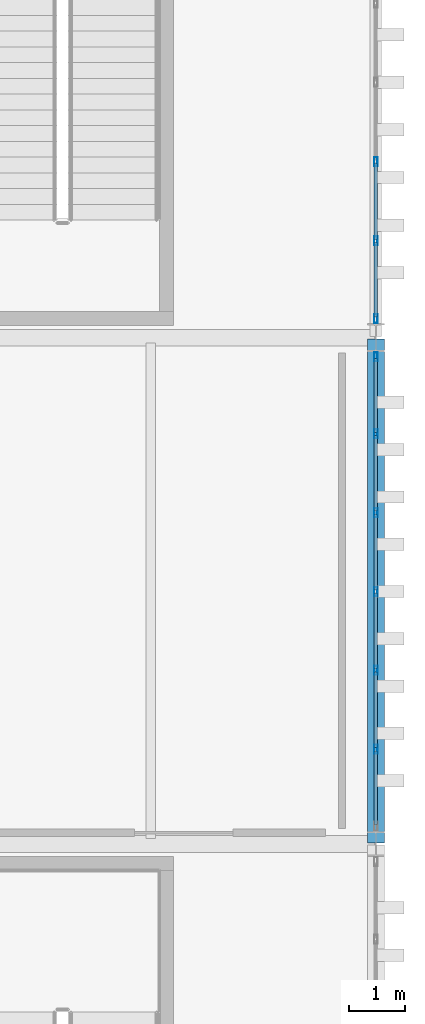
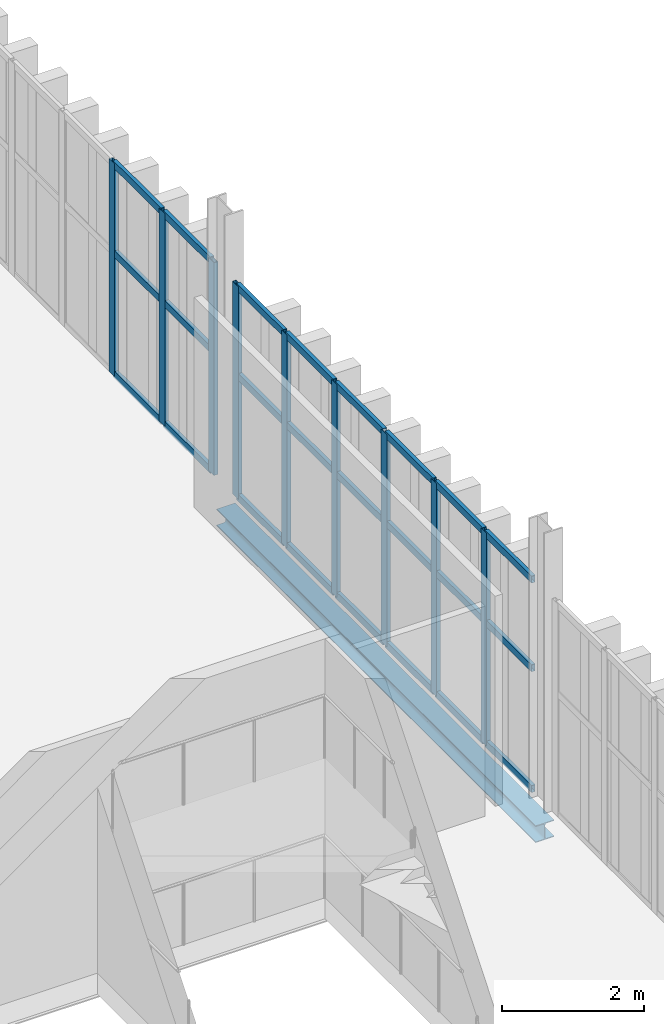
# One storey, part 152 of 196: 33 members, 1 beam, 2 elements without a shape of their own.
"""IFC4 building model written with IfcOpenShell, lengths in metres."""

from ifc_helpers import new_model, si_unit, direction, frame, origin, origin_2d, place, context, subcontext, project, spatial, hollow_rectangle, i_section, extrude, material, layer, layer_set, material_profile, profile_set, type_object, element, aggregate, save


model = new_model("IFC4")

# Units and contexts
model_context = context("Model", 3, precision=1e-05, world=origin(), true_north=direction((0.0, 1.0)))
body_context = subcontext(model_context, "Body", "Model", "MODEL_VIEW")
ifc_project = project(units=[si_unit("LENGTHUNIT", "METRE"), si_unit("AREAUNIT", "SQUARE_METRE"), si_unit("VOLUMEUNIT", "CUBIC_METRE"), si_unit("PLANEANGLEUNIT", "RADIAN"), si_unit("MASSUNIT", "GRAM", prefix="KILO")], contexts=[model_context])

# Site, building, storey
site_placement = place(None, origin())
site = spatial("IfcSite", under=ifc_project, at=site_placement, CompositionType="ELEMENT")
building_placement = place(site_placement, origin())
building = spatial("IfcBuilding", under=site, at=building_placement, Name="Barlavento Convention Centre", CompositionType="ELEMENT")
storey_placement = place(building_placement, frame((0.0, 0.0, 18.0)))
storey = spatial("IfcBuildingStorey", under=building, at=storey_placement, Name="L03", CompositionType="ELEMENT", Elevation=18.0)

# Curtain wall, members
ifc_material_1 = material(Name="Powder-coated aluminium and Low-E glass", Category="aluminium")
ifc_layer = layer(ifc_material_1, 0.179931640625)
ifc_layer_set = layer_set([ifc_layer], Name="ARC-CW-CONF-L03")
curtain_wall_type = type_object("IfcCurtainWallType", Name="ARC-CW-CONF-L03", PredefinedType="NOTDEFINED", material=ifc_layer_set)
curtain_wall_1_placement = place(storey_placement, origin())
curtain_wall_1 = element("IfcCurtainWall", 1, at=curtain_wall_1_placement, inside=storey, type_object=curtain_wall_type, Name="L03 unitised curtain wall CW08", PredefinedType="NOTDEFINED")
ifc_material_2 = material(Name="Powder-coated aluminium", Category="aluminium")
ifc_material_profile_1 = material_profile(ifc_material_2, hollow_rectangle(XDim=0.06005859375, YDim=0.159912109375, WallThickness=0.00390625, at=origin_2d()), Name="AL-MULL 60x160x4")
ifc_profile_set_1 = profile_set([ifc_material_profile_1], Name="Powder-coated aluminium")
member_type_1 = type_object("IfcMemberType", Name="ARC-CWM-60X160", PredefinedType="MULLION", material=ifc_profile_set_1)
member_1_placement = place(storey_placement, frame((192.0, 64.685791015625, 0.0), z_axis=(0.0, 0.0, 1.0), x_axis=(-1.0, 0.0, 0.0)))
member_1 = element("IfcMember", 2, at=member_1_placement, type_object=member_type_1, Name="CW08 mullion 2", PredefinedType="MULLION", context=body_context, shape_type="SweptSolid", body=[
    extrude(hollow_rectangle(XDim=0.06005859375, YDim=0.159912109375, WallThickness=0.00390625, at=origin_2d()), origin(), (0.0, 0.0, 1.0), 3.64990234375),
])
member_2_placement = place(storey_placement, frame((192.0, 66.086669921875, 0.0), z_axis=(0.0, 0.0, 1.0), x_axis=(-1.0, 0.0, 0.0)))
member_2 = element("IfcMember", 3, at=member_2_placement, type_object=member_type_1, Name="CW08 mullion 3", PredefinedType="MULLION", context=body_context, shape_type="SweptSolid", body=[
    extrude(hollow_rectangle(XDim=0.06005859375, YDim=0.159912109375, WallThickness=0.00390625, at=origin_2d()), origin(), (0.0, 0.0, 1.0), 3.64990234375),
])
member_3_placement = place(storey_placement, frame((192.0, 67.487548828125, 0.0), z_axis=(0.0, 0.0, 1.0), x_axis=(-1.0, 0.0, 0.0)))
member_3 = element("IfcMember", 4, at=member_3_placement, type_object=member_type_1, Name="CW08 mullion 4", PredefinedType="MULLION", context=body_context, shape_type="SweptSolid", body=[
    extrude(hollow_rectangle(XDim=0.06005859375, YDim=0.159912109375, WallThickness=0.00390625, at=origin_2d()), origin(), (0.0, 0.0, 1.0), 3.64990234375),
])
member_4_placement = place(storey_placement, frame((192.0, 68.888427734375, 0.0), z_axis=(0.0, 0.0, 1.0), x_axis=(-1.0, 0.0, 0.0)))
member_4 = element("IfcMember", 5, at=member_4_placement, type_object=member_type_1, Name="CW08 mullion 5", PredefinedType="MULLION", context=body_context, shape_type="SweptSolid", body=[
    extrude(hollow_rectangle(XDim=0.06005859375, YDim=0.159912109375, WallThickness=0.00390625, at=origin_2d()), origin(), (0.0, 0.0, 1.0), 3.64990234375),
])
member_5_placement = place(storey_placement, frame((192.0, 70.2890625, 0.0), z_axis=(0.0, 0.0, 1.0), x_axis=(-1.0, 0.0, 0.0)))
member_5 = element("IfcMember", 6, at=member_5_placement, type_object=member_type_1, Name="CW08 mullion 6", PredefinedType="MULLION", context=body_context, shape_type="SweptSolid", body=[
    extrude(hollow_rectangle(XDim=0.06005859375, YDim=0.159912109375, WallThickness=0.00390625, at=origin_2d()), origin(), (0.0, 0.0, 1.0), 3.64990234375),
])
member_6_placement = place(storey_placement, frame((192.0, 71.659912109375, 0.0), z_axis=(0.0, 0.0, 1.0), x_axis=(-1.0, 0.0, 0.0)))
member_6 = element("IfcMember", 7, at=member_6_placement, type_object=member_type_1, Name="CW08 mullion 7", PredefinedType="MULLION", context=body_context, shape_type="SweptSolid", body=[
    extrude(hollow_rectangle(XDim=0.06005859375, YDim=0.159912109375, WallThickness=0.00390625, at=origin_2d()), origin(), (0.0, 0.0, 1.0), 3.64990234375),
])

curtain_wall_2_placement = place(storey_placement, origin())
curtain_wall_2 = element("IfcCurtainWall", 8, at=curtain_wall_2_placement, inside=storey, type_object=curtain_wall_type, Name="L03 unitised curtain wall CW08", PredefinedType="NOTDEFINED")
member_7_placement = place(storey_placement, frame((192.0, 72.340087890625, 0.0), z_axis=(0.0, 0.0, 1.0), x_axis=(-1.0, 0.0, 0.0)))
member_7 = element("IfcMember", 9, at=member_7_placement, type_object=member_type_1, Name="CW08 mullion 1", PredefinedType="MULLION", context=body_context, shape_type="SweptSolid", body=[
    extrude(hollow_rectangle(XDim=0.06005859375, YDim=0.159912109375, WallThickness=0.00390625, at=origin_2d()), origin(), (0.0, 0.0, 1.0), 3.64990234375),
])
member_8_placement = place(storey_placement, frame((192.0, 73.719970703125, 0.0), z_axis=(0.0, 0.0, 1.0), x_axis=(-1.0, 0.0, 0.0)))
member_8 = element("IfcMember", 10, at=member_8_placement, type_object=member_type_1, Name="CW08 mullion 2", PredefinedType="MULLION", context=body_context, shape_type="SweptSolid", body=[
    extrude(hollow_rectangle(XDim=0.06005859375, YDim=0.159912109375, WallThickness=0.00390625, at=origin_2d()), origin(), (0.0, 0.0, 1.0), 3.64990234375),
])
member_9_placement = place(storey_placement, frame((192.0, 75.1298828125, 0.0), z_axis=(0.0, 0.0, 1.0), x_axis=(-1.0, 0.0, 0.0)))
member_9 = element("IfcMember", 11, at=member_9_placement, type_object=member_type_1, Name="CW08 mullion 3", PredefinedType="MULLION", context=body_context, shape_type="SweptSolid", body=[
    extrude(hollow_rectangle(XDim=0.06005859375, YDim=0.159912109375, WallThickness=0.00390625, at=origin_2d()), origin(), (0.0, 0.0, 1.0), 3.64990234375),
])

# Member
ifc_material_profile_2 = material_profile(ifc_material_2, hollow_rectangle(XDim=0.06005859375, YDim=0.1201171875, WallThickness=0.00390625, at=origin_2d()), Name="AL-TRAN 60x120x4")
ifc_profile_set_2 = profile_set([ifc_material_profile_2], Name="Powder-coated aluminium")
member_type_2 = type_object("IfcMemberType", Name="ARC-CWT-60X120", PredefinedType="USERDEFINED", material=ifc_profile_set_2)
member_10_placement = place(storey_placement, frame((192.0, 63.344970703125, 0.030029296875), z_axis=(0.0, 1.0, 0.0), x_axis=(-1.0, 0.0, 0.0)))
member_10 = element("IfcMember", 12, at=member_10_placement, type_object=member_type_2, Name="CW08 transom 1.1", ObjectType="TRANSOM", PredefinedType="USERDEFINED", context=body_context, shape_type="SweptSolid", body=[
    extrude(hollow_rectangle(XDim=0.06005859375, YDim=0.1201171875, WallThickness=0.00390625, at=origin_2d()), origin(), (0.0, 0.0, 1.0), 1.310791015625),
])

member_11_placement = place(storey_placement, frame((192.0, 63.344970703125, 2.10009765625), z_axis=(0.0, 1.0, 0.0), x_axis=(-1.0, 0.0, 0.0)))
member_11 = element("IfcMember", 13, at=member_11_placement, type_object=member_type_2, Name="CW08 transom 1.2", ObjectType="TRANSOM", PredefinedType="USERDEFINED", context=body_context, shape_type="SweptSolid", body=[
    extrude(hollow_rectangle(XDim=0.06005859375, YDim=0.1201171875, WallThickness=0.00390625, at=origin_2d()), origin(), (0.0, 0.0, 1.0), 1.310791015625),
])

member_12_placement = place(storey_placement, frame((192.0, 63.344970703125, 3.6201171875), z_axis=(0.0, 1.0, 0.0), x_axis=(-1.0, 0.0, 0.0)))
member_12 = element("IfcMember", 14, at=member_12_placement, type_object=member_type_2, Name="CW08 transom 1.3", ObjectType="TRANSOM", PredefinedType="USERDEFINED", context=body_context, shape_type="SweptSolid", body=[
    extrude(hollow_rectangle(XDim=0.06005859375, YDim=0.1201171875, WallThickness=0.00390625, at=origin_2d()), origin(), (0.0, 0.0, 1.0), 1.310791015625),
])

member_13_placement = place(storey_placement, frame((192.0, 64.7158203125, 0.030029296875), z_axis=(0.0, 1.0, 0.0), x_axis=(-1.0, 0.0, 0.0)))
member_13 = element("IfcMember", 15, at=member_13_placement, type_object=member_type_2, Name="CW08 transom 2.1", ObjectType="TRANSOM", PredefinedType="USERDEFINED", context=body_context, shape_type="SweptSolid", body=[
    extrude(hollow_rectangle(XDim=0.06005859375, YDim=0.1201171875, WallThickness=0.00390625, at=origin_2d()), origin(), (0.0, 0.0, 1.0), 1.3408203125),
])

member_14_placement = place(storey_placement, frame((192.0, 64.7158203125, 2.10009765625), z_axis=(0.0, 1.0, 0.0), x_axis=(-1.0, 0.0, 0.0)))
member_14 = element("IfcMember", 16, at=member_14_placement, type_object=member_type_2, Name="CW08 transom 2.2", ObjectType="TRANSOM", PredefinedType="USERDEFINED", context=body_context, shape_type="SweptSolid", body=[
    extrude(hollow_rectangle(XDim=0.06005859375, YDim=0.1201171875, WallThickness=0.00390625, at=origin_2d()), origin(), (0.0, 0.0, 1.0), 1.3408203125),
])

member_15_placement = place(storey_placement, frame((192.0, 64.7158203125, 3.6201171875), z_axis=(0.0, 1.0, 0.0), x_axis=(-1.0, 0.0, 0.0)))
member_15 = element("IfcMember", 17, at=member_15_placement, type_object=member_type_2, Name="CW08 transom 2.3", ObjectType="TRANSOM", PredefinedType="USERDEFINED", context=body_context, shape_type="SweptSolid", body=[
    extrude(hollow_rectangle(XDim=0.06005859375, YDim=0.1201171875, WallThickness=0.00390625, at=origin_2d()), origin(), (0.0, 0.0, 1.0), 1.3408203125),
])

member_16_placement = place(storey_placement, frame((192.0, 66.11669921875, 0.030029296875), z_axis=(0.0, 1.0, 0.0), x_axis=(-1.0, 0.0, 0.0)))
member_16 = element("IfcMember", 18, at=member_16_placement, type_object=member_type_2, Name="CW08 transom 3.1", ObjectType="TRANSOM", PredefinedType="USERDEFINED", context=body_context, shape_type="SweptSolid", body=[
    extrude(hollow_rectangle(XDim=0.06005859375, YDim=0.1201171875, WallThickness=0.00390625, at=origin_2d()), origin(), (0.0, 0.0, 1.0), 1.3408203125),
])

member_17_placement = place(storey_placement, frame((192.0, 66.11669921875, 2.10009765625), z_axis=(0.0, 1.0, 0.0), x_axis=(-1.0, 0.0, 0.0)))
member_17 = element("IfcMember", 19, at=member_17_placement, type_object=member_type_2, Name="CW08 transom 3.2", ObjectType="TRANSOM", PredefinedType="USERDEFINED", context=body_context, shape_type="SweptSolid", body=[
    extrude(hollow_rectangle(XDim=0.06005859375, YDim=0.1201171875, WallThickness=0.00390625, at=origin_2d()), origin(), (0.0, 0.0, 1.0), 1.3408203125),
])

member_18_placement = place(storey_placement, frame((192.0, 66.11669921875, 3.6201171875), z_axis=(0.0, 1.0, 0.0), x_axis=(-1.0, 0.0, 0.0)))
member_18 = element("IfcMember", 20, at=member_18_placement, type_object=member_type_2, Name="CW08 transom 3.3", ObjectType="TRANSOM", PredefinedType="USERDEFINED", context=body_context, shape_type="SweptSolid", body=[
    extrude(hollow_rectangle(XDim=0.06005859375, YDim=0.1201171875, WallThickness=0.00390625, at=origin_2d()), origin(), (0.0, 0.0, 1.0), 1.3408203125),
])

member_19_placement = place(storey_placement, frame((192.0, 67.517578125, 0.030029296875), z_axis=(0.0, 1.0, 0.0), x_axis=(-1.0, 0.0, 0.0)))
member_19 = element("IfcMember", 21, at=member_19_placement, type_object=member_type_2, Name="CW08 transom 4.1", ObjectType="TRANSOM", PredefinedType="USERDEFINED", context=body_context, shape_type="SweptSolid", body=[
    extrude(hollow_rectangle(XDim=0.06005859375, YDim=0.1201171875, WallThickness=0.00390625, at=origin_2d()), origin(), (0.0, 0.0, 1.0), 1.3408203125),
])

member_20_placement = place(storey_placement, frame((192.0, 67.517578125, 2.10009765625), z_axis=(0.0, 1.0, 0.0), x_axis=(-1.0, 0.0, 0.0)))
member_20 = element("IfcMember", 22, at=member_20_placement, type_object=member_type_2, Name="CW08 transom 4.2", ObjectType="TRANSOM", PredefinedType="USERDEFINED", context=body_context, shape_type="SweptSolid", body=[
    extrude(hollow_rectangle(XDim=0.06005859375, YDim=0.1201171875, WallThickness=0.00390625, at=origin_2d()), origin(), (0.0, 0.0, 1.0), 1.3408203125),
])

member_21_placement = place(storey_placement, frame((192.0, 67.517578125, 3.6201171875), z_axis=(0.0, 1.0, 0.0), x_axis=(-1.0, 0.0, 0.0)))
member_21 = element("IfcMember", 23, at=member_21_placement, type_object=member_type_2, Name="CW08 transom 4.3", ObjectType="TRANSOM", PredefinedType="USERDEFINED", context=body_context, shape_type="SweptSolid", body=[
    extrude(hollow_rectangle(XDim=0.06005859375, YDim=0.1201171875, WallThickness=0.00390625, at=origin_2d()), origin(), (0.0, 0.0, 1.0), 1.3408203125),
])

member_22_placement = place(storey_placement, frame((192.0, 68.918212890625, 0.030029296875), z_axis=(0.0, 1.0, 0.0), x_axis=(-1.0, 0.0, 0.0)))
member_22 = element("IfcMember", 24, at=member_22_placement, type_object=member_type_2, Name="CW08 transom 5.1", ObjectType="TRANSOM", PredefinedType="USERDEFINED", context=body_context, shape_type="SweptSolid", body=[
    extrude(hollow_rectangle(XDim=0.06005859375, YDim=0.1201171875, WallThickness=0.00390625, at=origin_2d()), origin(), (0.0, 0.0, 1.0), 1.341064453125),
])

member_23_placement = place(storey_placement, frame((192.0, 68.918212890625, 2.10009765625), z_axis=(0.0, 1.0, 0.0), x_axis=(-1.0, 0.0, 0.0)))
member_23 = element("IfcMember", 25, at=member_23_placement, type_object=member_type_2, Name="CW08 transom 5.2", ObjectType="TRANSOM", PredefinedType="USERDEFINED", context=body_context, shape_type="SweptSolid", body=[
    extrude(hollow_rectangle(XDim=0.06005859375, YDim=0.1201171875, WallThickness=0.00390625, at=origin_2d()), origin(), (0.0, 0.0, 1.0), 1.341064453125),
])

member_24_placement = place(storey_placement, frame((192.0, 68.918212890625, 3.6201171875), z_axis=(0.0, 1.0, 0.0), x_axis=(-1.0, 0.0, 0.0)))
member_24 = element("IfcMember", 26, at=member_24_placement, type_object=member_type_2, Name="CW08 transom 5.3", ObjectType="TRANSOM", PredefinedType="USERDEFINED", context=body_context, shape_type="SweptSolid", body=[
    extrude(hollow_rectangle(XDim=0.06005859375, YDim=0.1201171875, WallThickness=0.00390625, at=origin_2d()), origin(), (0.0, 0.0, 1.0), 1.341064453125),
])

member_25_placement = place(storey_placement, frame((192.0, 70.319091796875, 0.030029296875), z_axis=(0.0, 1.0, 0.0), x_axis=(-1.0, 0.0, 0.0)))
member_25 = element("IfcMember", 27, at=member_25_placement, type_object=member_type_2, Name="CW08 transom 6.1", ObjectType="TRANSOM", PredefinedType="USERDEFINED", context=body_context, shape_type="SweptSolid", body=[
    extrude(hollow_rectangle(XDim=0.06005859375, YDim=0.1201171875, WallThickness=0.00390625, at=origin_2d()), origin(), (0.0, 0.0, 1.0), 1.310791015625),
])

member_26_placement = place(storey_placement, frame((192.0, 70.319091796875, 2.10009765625), z_axis=(0.0, 1.0, 0.0), x_axis=(-1.0, 0.0, 0.0)))
member_26 = element("IfcMember", 28, at=member_26_placement, type_object=member_type_2, Name="CW08 transom 6.2", ObjectType="TRANSOM", PredefinedType="USERDEFINED", context=body_context, shape_type="SweptSolid", body=[
    extrude(hollow_rectangle(XDim=0.06005859375, YDim=0.1201171875, WallThickness=0.00390625, at=origin_2d()), origin(), (0.0, 0.0, 1.0), 1.310791015625),
])

member_27_placement = place(storey_placement, frame((192.0, 70.319091796875, 3.6201171875), z_axis=(0.0, 1.0, 0.0), x_axis=(-1.0, 0.0, 0.0)))
member_27 = element("IfcMember", 29, at=member_27_placement, type_object=member_type_2, Name="CW08 transom 6.3", ObjectType="TRANSOM", PredefinedType="USERDEFINED", context=body_context, shape_type="SweptSolid", body=[
    extrude(hollow_rectangle(XDim=0.06005859375, YDim=0.1201171875, WallThickness=0.00390625, at=origin_2d()), origin(), (0.0, 0.0, 1.0), 1.310791015625),
])

aggregate(curtain_wall_1, [member_1, member_2, member_3, member_4, member_5, member_6, member_10, member_11, member_12, member_13, member_14, member_15, member_16, member_17, member_18, member_19, member_20, member_21, member_22, member_23, member_24, member_25, member_26, member_27])

member_28_placement = place(storey_placement, frame((192.0, 72.3701171875, 0.030029296875), z_axis=(0.0, 1.0, 0.0), x_axis=(-1.0, 0.0, 0.0)))
member_28 = element("IfcMember", 30, at=member_28_placement, type_object=member_type_2, Name="CW08 transom 1.1", ObjectType="TRANSOM", PredefinedType="USERDEFINED", context=body_context, shape_type="SweptSolid", body=[
    extrude(hollow_rectangle(XDim=0.06005859375, YDim=0.1201171875, WallThickness=0.00390625, at=origin_2d()), origin(), (0.0, 0.0, 1.0), 1.31982421875),
])

member_29_placement = place(storey_placement, frame((192.0, 72.3701171875, 2.10009765625), z_axis=(0.0, 1.0, 0.0), x_axis=(-1.0, 0.0, 0.0)))
member_29 = element("IfcMember", 31, at=member_29_placement, type_object=member_type_2, Name="CW08 transom 1.2", ObjectType="TRANSOM", PredefinedType="USERDEFINED", context=body_context, shape_type="SweptSolid", body=[
    extrude(hollow_rectangle(XDim=0.06005859375, YDim=0.1201171875, WallThickness=0.00390625, at=origin_2d()), origin(), (0.0, 0.0, 1.0), 1.31982421875),
])

member_30_placement = place(storey_placement, frame((192.0, 72.3701171875, 3.6201171875), z_axis=(0.0, 1.0, 0.0), x_axis=(-1.0, 0.0, 0.0)))
member_30 = element("IfcMember", 32, at=member_30_placement, type_object=member_type_2, Name="CW08 transom 1.3", ObjectType="TRANSOM", PredefinedType="USERDEFINED", context=body_context, shape_type="SweptSolid", body=[
    extrude(hollow_rectangle(XDim=0.06005859375, YDim=0.1201171875, WallThickness=0.00390625, at=origin_2d()), origin(), (0.0, 0.0, 1.0), 1.31982421875),
])

member_31_placement = place(storey_placement, frame((192.0, 73.75, 0.030029296875), z_axis=(0.0, 1.0, 0.0), x_axis=(-1.0, 0.0, 0.0)))
member_31 = element("IfcMember", 33, at=member_31_placement, type_object=member_type_2, Name="CW08 transom 2.1", ObjectType="TRANSOM", PredefinedType="USERDEFINED", context=body_context, shape_type="SweptSolid", body=[
    extrude(hollow_rectangle(XDim=0.06005859375, YDim=0.1201171875, WallThickness=0.00390625, at=origin_2d()), origin(), (0.0, 0.0, 1.0), 1.35009765625),
])

member_32_placement = place(storey_placement, frame((192.0, 73.75, 2.10009765625), z_axis=(0.0, 1.0, 0.0), x_axis=(-1.0, 0.0, 0.0)))
member_32 = element("IfcMember", 34, at=member_32_placement, type_object=member_type_2, Name="CW08 transom 2.2", ObjectType="TRANSOM", PredefinedType="USERDEFINED", context=body_context, shape_type="SweptSolid", body=[
    extrude(hollow_rectangle(XDim=0.06005859375, YDim=0.1201171875, WallThickness=0.00390625, at=origin_2d()), origin(), (0.0, 0.0, 1.0), 1.35009765625),
])

member_33_placement = place(storey_placement, frame((192.0, 73.75, 3.6201171875), z_axis=(0.0, 1.0, 0.0), x_axis=(-1.0, 0.0, 0.0)))
member_33 = element("IfcMember", 35, at=member_33_placement, type_object=member_type_2, Name="CW08 transom 2.3", ObjectType="TRANSOM", PredefinedType="USERDEFINED", context=body_context, shape_type="SweptSolid", body=[
    extrude(hollow_rectangle(XDim=0.06005859375, YDim=0.1201171875, WallThickness=0.00390625, at=origin_2d()), origin(), (0.0, 0.0, 1.0), 1.35009765625),
])

aggregate(curtain_wall_2, [member_7, member_8, member_9, member_28, member_29, member_30, member_31, member_32, member_33])

# Beam
ifc_material_3 = material(Name="Steel S355", Category="steel")
ifc_material_profile_3 = material_profile(ifc_material_3, i_section(OverallWidth=0.300048828125, OverallDepth=0.2900390625, WebThickness=0.008544921875, FlangeThickness=0.013916015625, FilletRadius=0.027099609375, at=origin_2d()), Name="HEA 300")
ifc_profile_set_3 = profile_set([ifc_material_profile_3], Name="Steel S355")
beam_type = type_object("IfcBeamType", Name="STR-BM-SPN-HEA300", PredefinedType="SPANDREL", material=ifc_profile_set_3)
beam_placement = place(storey_placement, frame((192.0, 63.02001953125, -0.5048828125), z_axis=(0.0, 1.0, 0.0), x_axis=(-1.0, 0.0, 0.0)))
element("IfcBeam", 36, at=beam_placement, inside=storey, type_object=beam_type, Name="L03 grid girder SP02", PredefinedType="SPANDREL", context=body_context, shape_type="SweptSolid", body=[
    extrude(i_section(OverallWidth=0.300048828125, OverallDepth=0.2900390625, WebThickness=0.008544921875, FlangeThickness=0.013916015625, FilletRadius=0.027099609375, at=origin_2d()), origin(), (0.0, 0.0, 1.0), 8.9599609375),
])

save(model, "model.ifc")
